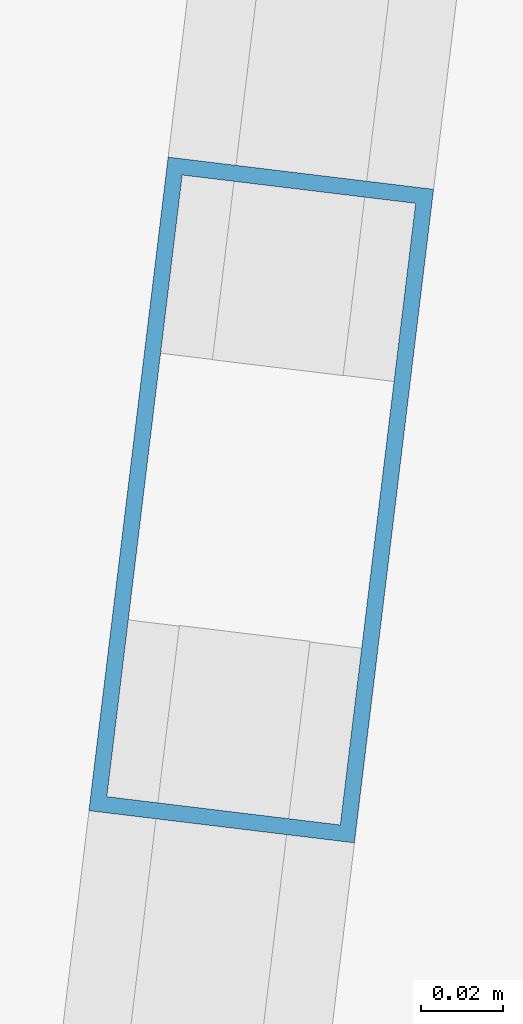
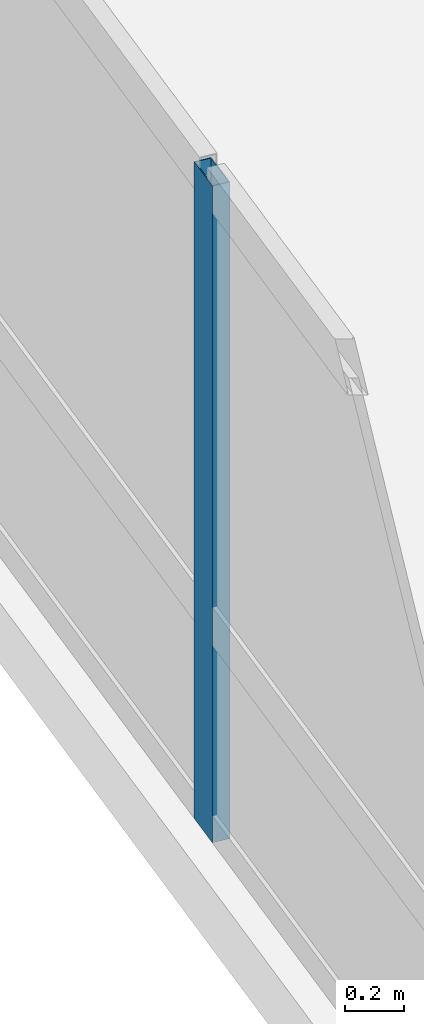
# One storey, part 4 of 25: 1 member, 1 element without a shape of its own.
"""IFC4 building model written with IfcOpenShell, lengths in metres."""

from ifc_helpers import new_model, si_unit, direction, frame, origin, origin_2d, place, context, subcontext, project, spatial, hollow_rectangle, extrude, material, layer, layer_set, material_profile, profile_set, type_object, element, aggregate, save


model = new_model("IFC4")

# Units and contexts
model_context = context("Model", 3, precision=1e-05, world=origin(), true_north=direction((0.0, 1.0)))
body_context = subcontext(model_context, "Body", "Model", "MODEL_VIEW")
ifc_project = project(units=[si_unit("LENGTHUNIT", "METRE"), si_unit("AREAUNIT", "SQUARE_METRE"), si_unit("VOLUMEUNIT", "CUBIC_METRE"), si_unit("PLANEANGLEUNIT", "RADIAN"), si_unit("MASSUNIT", "GRAM", prefix="KILO")], contexts=[model_context])

# Site, building, storey
site_placement = place(None, origin())
site = spatial("IfcSite", under=ifc_project, at=site_placement, CompositionType="ELEMENT")
building_placement = place(site_placement, origin())
building = spatial("IfcBuilding", under=site, at=building_placement, Name="Varnelok Gate Tower", CompositionType="ELEMENT")
storey_placement = place(building_placement, frame((0.0, 0.0, 136.5)))
storey = spatial("IfcBuildingStorey", under=building, at=storey_placement, Name="L34", CompositionType="ELEMENT", Elevation=136.5)

# Curtain wall, member
ifc_material = material(Name="Anodized Aluminum Alloy 6063-T6", Category="aluminium")
ifc_layer = layer(ifc_material, 0.179931640625)
ifc_layer_set = layer_set([ifc_layer], Name="Anodized Aluminum Alloy 6063-T6")
curtain_wall_type = type_object("IfcCurtainWallType", Name="CW3-HOTEL-VISION", PredefinedType="USERDEFINED", material=ifc_layer_set)
curtain_wall_placement = place(storey_placement, origin())
curtain_wall = element("IfcCurtainWall", 1, at=curtain_wall_placement, inside=storey, type_object=curtain_wall_type, Name="L34 West End Vision Curtain Wall", ObjectType="UNITISED CURTAIN WALL", PredefinedType="USERDEFINED")
ifc_material_profile = material_profile(ifc_material, hollow_rectangle(XDim=0.06494140625, YDim=0.159912109375, WallThickness=0.00390625, at=origin_2d()), Name="ALU160X65X4")
ifc_profile_set = profile_set([ifc_material_profile], Name="Anodized Aluminum Alloy 6063-T6")
member_type = type_object("IfcMemberType", Name="CW-MULL-160", PredefinedType="MULLION", material=ifc_profile_set)
member_placement = place(storey_placement, frame((1.109619140625, 19.03857421875, 0.0), z_axis=(0.0, 0.0, 1.0), x_axis=(-0.99273188146, 0.120347046212, 0.0)))
member = element("IfcMember", 2, at=member_placement, type_object=member_type, Name="CW3 mullion 2", PredefinedType="MULLION", context=body_context, shape_type="SweptSolid", body=[
    extrude(hollow_rectangle(XDim=0.06494140625, YDim=0.159912109375, WallThickness=0.00390625, at=origin_2d()), origin(), (0.0, 0.0, 1.0), 2.72998046875),
])
aggregate(curtain_wall, [member])

save(model, "model.ifc")
